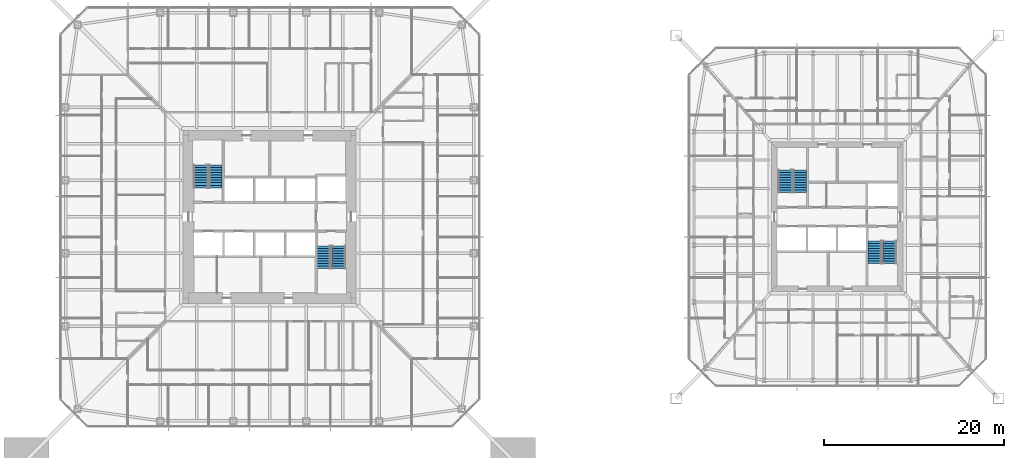
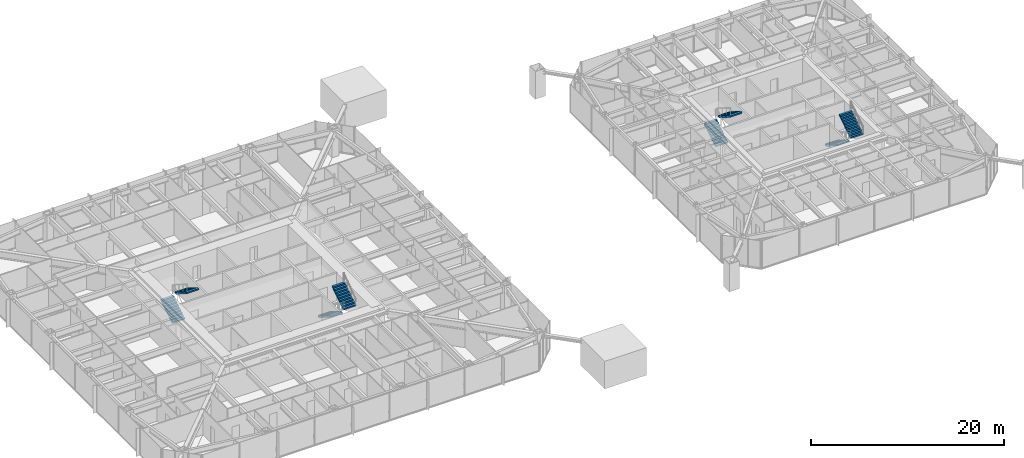
# One storey, part 22 of 26: 8 stair flights, 4 elements without a shape of their own.
"""IFC4 building model written with IfcOpenShell, lengths in metres."""

import ifcopenshell
import ifcopenshell.guid

model = None  # the IFC model being written
_history = None  # IfcOwnerHistory: only IFC2X3 demands one
_inside = {}  # id of a spatial element -> (the spatial element, [elements in it])
_under = {}  # id of a project, library or spatial element -> (it, [spatial elements below it])
_declared = {}  # id of a project -> (the project, [libraries it declares])
_typed = {}  # id of a type object -> (the type object, [elements of that type])
_made_of = {}  # id of a material, layer set ... -> (it, [elements and type objects made of it])


def new_model(schema):
    """Start an empty IFC model of exactly this schema.

    Asked for "IFC4X3", IfcOpenShell would pick the latest addendum, in which some entities
    have other attributes; the version numbers below select the first issue.
    IFC2X3 requires an IfcOwnerHistory on every rooted entity: one is made here for all.
    """
    global model, _history
    if schema == "IFC4X3":
        model = ifcopenshell.file(schema_version=(4, 3, 0, 0))
    else:
        model = ifcopenshell.file(schema=schema)
    _inside.clear()
    _under.clear()
    _declared.clear()
    _typed.clear()
    _made_of.clear()
    _history = None
    if model.schema == "IFC2X3":
        org = make("IfcOrganization", Name="unknown")
        user = make(
            "IfcPersonAndOrganization",
            ThePerson=make("IfcPerson", FamilyName="unknown"),
            TheOrganization=org,
        )
        app = make(
            "IfcApplication",
            ApplicationDeveloper=org,
            Version="unknown",
            ApplicationFullName="unknown",
            ApplicationIdentifier="unknown",
        )
        _history = make(
            "IfcOwnerHistory",
            OwningUser=user,
            OwningApplication=app,
            ChangeAction="ADDED",
            CreationDate=0,
        )
    return model


def make(cls, **values):
    """One entity of the class cls with the attributes given. An attribute that is None is left unset."""
    return model.create_entity(
        cls, **{name: value for name, value in values.items() if value is not None}
    )


def rooted(cls, **values):
    """An entity with a GlobalId (a new one), such as an element, a storey or a relation."""
    return make(cls, GlobalId=ifcopenshell.guid.new(), OwnerHistory=_history, **values)


def si_unit(unit_type, name, prefix=None):
    """IfcSIUnit, for example si_unit("LENGTHUNIT", "METRE", prefix="MILLI")."""
    return make("IfcSIUnit", UnitType=unit_type, Prefix=prefix, Name=name)


def assignment(units):
    """IfcUnitAssignment: the units of a project."""
    return None if units is None else make("IfcUnitAssignment", Units=units)


def point(xyz):
    """IfcCartesianPoint."""
    return None if xyz is None else make("IfcCartesianPoint", Coordinates=xyz)


def direction(xyz):
    """IfcDirection."""
    return None if xyz is None else make("IfcDirection", DirectionRatios=xyz)


def frame(location, z_axis=None, x_axis=None):
    """IfcAxis2Placement3D, a coordinate frame: its origin and axes. An axis left out is left unset."""
    return make(
        "IfcAxis2Placement3D",
        Location=point(location),
        Axis=direction(z_axis),
        RefDirection=direction(x_axis),
    )


def origin():
    """The frame at (0, 0, 0) with its axes left unset."""
    return frame((0.0, 0.0, 0.0))


def place(relative_to, where):
    """IfcLocalPlacement: puts the frame where relative to a parent placement (None: the world)."""
    return make(
        "IfcLocalPlacement", PlacementRelTo=relative_to, RelativePlacement=where
    )


def context(
    kind, dimensions, precision=None, world=None, true_north=None, identifier=None
):
    """IfcGeometricRepresentationContext, for example the 3D "Model" context."""
    return make(
        "IfcGeometricRepresentationContext",
        ContextIdentifier=identifier,
        ContextType=kind,
        CoordinateSpaceDimension=dimensions,
        Precision=precision,
        WorldCoordinateSystem=world,
        TrueNorth=true_north,
    )


def subcontext(parent, identifier, kind, view, scale=None):
    """IfcGeometricRepresentationSubContext, for example "Body" below "Model"."""
    return make(
        "IfcGeometricRepresentationSubContext",
        ContextIdentifier=identifier,
        ContextType=kind,
        ParentContext=parent,
        TargetScale=scale,
        TargetView=view,
    )


def project(units=None, contexts=None):
    """IfcProject with its units and contexts."""
    return rooted(
        "IfcProject",
        Name="project",
        RepresentationContexts=contexts,
        UnitsInContext=assignment(units),
    )


def spatial(cls, under=None, at=None, **own):
    """A site, building, storey or space (cls), placed at a placement, below another one or the project."""
    s = rooted(cls, ObjectPlacement=at, **own)
    if under is not None:
        _under.setdefault(under.id(), (under, []))[1].append(s)
    return s


def polyline(points):
    """IfcPolyline through the points."""
    return make("IfcPolyline", Points=[point(p) for p in points])


def outline(outer, holes=None, kind="AREA"):
    """IfcArbitraryClosedProfileDef: a profile drawn as a closed curve; with holes, ...WithVoids."""
    if holes is None:
        return make("IfcArbitraryClosedProfileDef", ProfileType=kind, OuterCurve=outer)
    return make(
        "IfcArbitraryProfileDefWithVoids",
        ProfileType=kind,
        OuterCurve=outer,
        InnerCurves=holes,
    )


def extrude(swept, where, along, depth):
    """IfcExtrudedAreaSolid: the profile swept, set in the frame where, extruded along a direction by depth."""
    return make(
        "IfcExtrudedAreaSolid",
        SweptArea=swept,
        Position=where,
        ExtrudedDirection=direction(along),
        Depth=depth,
    )


def shape(context_of_items, identifier, shape_type, items):
    """IfcShapeRepresentation: the items that make up one representation, for example the "Body"."""
    return make(
        "IfcShapeRepresentation",
        ContextOfItems=context_of_items,
        RepresentationIdentifier=identifier,
        RepresentationType=shape_type,
        Items=items,
    )


def material(Name=None, Category=None):
    """IfcMaterial."""
    return make("IfcMaterial", Name=Name, Category=Category)


def constituent(of_material, Name=None, Category=None, fraction=None):
    """IfcMaterialConstituent: one of the materials an element consists of."""
    return make(
        "IfcMaterialConstituent",
        Name=Name,
        Material=of_material,
        Fraction=fraction,
        Category=Category,
    )


def constituent_set(constituents=None, Name=None):
    """IfcMaterialConstituentSet."""
    return make(
        "IfcMaterialConstituentSet", Name=Name, MaterialConstituents=constituents
    )


def made_of(thing, what):
    """Note that an element or type object is made of a material, layer set ...; save() writes the relation."""
    if what is not None:
        _made_of.setdefault(what.id(), (what, []))[1].append(thing)
    return thing


def type_object(cls, material=None, **own):
    """A type object (cls), such as IfcWallType, which elements share."""
    return made_of(rooted(cls, **own), material)


def element(
    cls,
    number,
    at=None,
    inside=None,
    cuts=None,
    type_object=None,
    material=None,
    context=None,
    identifier="Body",
    shape_type=None,
    held_by="IfcProductDefinitionShape",
    body=None,
    shapes=None,
    **own,
):
    """One element of the class cls, such as IfcWall. Its Tag is "e" and its number.

    at: its placement. inside: the storey or other place that contains it. cuts: it is an
    opening in that element (IfcRelVoidsElement). A single representation is given by context,
    identifier, shape_type and body (its items); several are given by shapes. held_by: the class
    of the entity that holds the representations. save() writes the other relations.
    """
    e = rooted(cls, Tag="e%d" % number, ObjectPlacement=at, **own)
    if body is not None:
        shapes = [shape(context, identifier, shape_type, body)]
    if shapes is not None:
        e.Representation = make(held_by, Representations=shapes)
    if inside is not None:
        _inside.setdefault(inside.id(), (inside, []))[1].append(e)
    if cuts is not None:
        rooted(
            "IfcRelVoidsElement", RelatingBuildingElement=cuts, RelatedOpeningElement=e
        )
    if type_object is not None:
        _typed.setdefault(type_object.id(), (type_object, []))[1].append(e)
    return made_of(e, material)


def aggregate(whole, parts):
    """IfcRelAggregates: a whole, such as a stair, and the parts it consists of."""
    return rooted("IfcRelAggregates", RelatingObject=whole, RelatedObjects=parts)


def save(model, path):
    """Write the relations noted so far, then the file.

    IfcRelAggregates (storeys below a building ...), IfcRelContainedInSpatialStructure (elements
    in a storey), IfcRelDefinesByType, IfcRelAssociatesMaterial and IfcRelDeclares: one each for
    every whole, place, type object, material and project.
    """
    for whole, parts in _under.values():
        aggregate(whole, parts)
    for where, things in _inside.values():
        rooted(
            "IfcRelContainedInSpatialStructure",
            RelatedElements=things,
            RelatingStructure=where,
        )
    for kind, things in _typed.values():
        rooted("IfcRelDefinesByType", RelatedObjects=things, RelatingType=kind)
    for what, things in _made_of.values():
        rooted("IfcRelAssociatesMaterial", RelatedObjects=things, RelatingMaterial=what)
    for by, libraries in _declared.values():
        rooted("IfcRelDeclares", RelatingContext=by, RelatedDefinitions=libraries)
    model.write(path)


model = new_model("IFC4")

# Units and contexts
model_context = context("Model", 3, precision=1e-05, world=origin(), true_north=direction((0.0, 1.0)))
body_context = subcontext(model_context, "Body", "Model", "MODEL_VIEW")
ifc_project = project(units=[si_unit("LENGTHUNIT", "METRE"), si_unit("AREAUNIT", "SQUARE_METRE"), si_unit("VOLUMEUNIT", "CUBIC_METRE"), si_unit("PLANEANGLEUNIT", "RADIAN"), si_unit("MASSUNIT", "GRAM", prefix="KILO")], contexts=[model_context])

# Site, building, storey
site_placement = place(None, origin())
site = spatial("IfcSite", under=ifc_project, at=site_placement, CompositionType="ELEMENT")
building_placement = place(site_placement, origin())
building = spatial("IfcBuilding", under=site, at=building_placement, Name="Iwan Alto Co-Living Towers", CompositionType="ELEMENT")
storey_placement = place(building_placement, frame((0.0, 0.0, 32.5)))
storey = spatial("IfcBuildingStorey", under=building, at=storey_placement, Name="L08", CompositionType="ELEMENT", Elevation=32.5)

# Stair, stair flights
ifc_material_1 = material(Name="Steel ASTM A36", Category="steel")
ifc_constituent_1 = constituent(ifc_material_1, Name="Stringers", Category="LoadBearing")
ifc_material_2 = material(Name="Concrete f'c 30 MPa", Category="concrete")
ifc_constituent_2 = constituent(ifc_material_2, Name="Tread fill", Category="Finish")
ifc_constituent_set_1 = constituent_set(constituents=[ifc_constituent_1, ifc_constituent_2], Name="STAIR 3500 TWO-FLIGHT T1 CORE")
stair_type_1 = type_object("IfcStairType", Name="STAIR 3500 TWO-FLIGHT T1 CORE", PredefinedType="HALF_TURN_STAIR", material=ifc_constituent_set_1)
stair_1_placement = place(storey_placement, origin())
stair_1 = element("IfcStair", 1, at=stair_1_placement, inside=storey, type_object=stair_type_1, Name="Stair T1-S1 L08 to L09", PredefinedType="HALF_TURN_STAIR")
ifc_constituent_3 = constituent(ifc_material_1, Name="Stringers", Category="LoadBearing")
ifc_constituent_4 = constituent(ifc_material_2, Name="Tread fill", Category="Finish")
ifc_constituent_set_2 = constituent_set(constituents=[ifc_constituent_3, ifc_constituent_4], Name="STAIR FLIGHT 10 RISERS 280 GOING")
stair_flight_type = type_object("IfcStairFlightType", Name="STAIR FLIGHT 10 RISERS 280 GOING", PredefinedType="STRAIGHT", material=ifc_constituent_set_2)
stair_flight_1_placement = place(storey_placement, frame((-7.68994140625, 3.219970703125, 0.0), z_axis=(0.0, 0.0, 1.0), x_axis=(0.0, 1.0, 0.0)))
stair_flight_1 = element("IfcStairFlight", 2, at=stair_flight_1_placement, type_object=stair_flight_type, Name="T1-S1 flight 1", NumberOfRisers=10, NumberOfTreads=9, PredefinedType="STRAIGHT", RiserHeight=0.175, TreadLength=0.28, context=body_context, shape_type="SweptSolid", body=[
    extrude(outline(polyline([(0.0, 0.0), (0.0, 0.175048828125), (0.280029296875, 0.175048828125), (0.280029296875, 0.35009765625), (0.56005859375, 0.35009765625), (0.56005859375, 0.52490234375), (0.840087890625, 0.52490234375), (0.840087890625, 0.699951171875), (1.1201171875, 0.699951171875), (1.1201171875, 0.875), (1.39990234375, 0.875), (1.39990234375, 1.050048828125), (1.679931640625, 1.050048828125), (1.679931640625, 1.22509765625), (1.9599609375, 1.22509765625), (1.9599609375, 1.39990234375), (2.239990234375, 1.39990234375), (2.239990234375, 1.574951171875), (2.52001953125, 1.574951171875), (2.52001953125, 1.75), (2.52001953125, 1.398193359375), (0.28271484375, 0.0), (0.0, 0.0)])), frame((0.0, 0.739990234375, 0.0), z_axis=(0.0, -1.0, 0.0), x_axis=(1.0, 0.0, 0.0)), (0.0, 0.0, 1.0), 1.47998046875),
])
stair_flight_2_placement = place(storey_placement, frame((-6.010009765625, 5.739990234375, 1.75), z_axis=(0.0, 0.0, 1.0), x_axis=(0.0, -1.0, 0.0)))
stair_flight_2 = element("IfcStairFlight", 3, at=stair_flight_2_placement, type_object=stair_flight_type, Name="T1-S1 flight 2", NumberOfRisers=10, NumberOfTreads=9, PredefinedType="STRAIGHT", RiserHeight=0.175, TreadLength=0.28, context=body_context, shape_type="SweptSolid", body=[
    extrude(outline(polyline([(0.0, 0.0), (0.0, 0.175048828125), (0.280029296875, 0.175048828125), (0.280029296875, 0.35009765625), (0.56005859375, 0.35009765625), (0.56005859375, 0.52490234375), (0.840087890625, 0.52490234375), (0.840087890625, 0.699951171875), (1.1201171875, 0.699951171875), (1.1201171875, 0.875), (1.39990234375, 0.875), (1.39990234375, 1.050048828125), (1.679931640625, 1.050048828125), (1.679931640625, 1.22509765625), (1.9599609375, 1.22509765625), (1.9599609375, 1.39990234375), (2.239990234375, 1.39990234375), (2.239990234375, 1.574951171875), (2.52001953125, 1.574951171875), (2.52001953125, 1.75), (2.52001953125, 1.398193359375), (0.28271484375, 0.0), (0.0, 0.0)])), frame((0.0, 0.739990234375, 0.0), z_axis=(0.0, -1.0, 0.0), x_axis=(1.0, 0.0, 0.0)), (0.0, 0.0, 1.0), 1.47998046875),
])
aggregate(stair_1, [stair_flight_1, stair_flight_2])

stair_2_placement = place(storey_placement, origin())
stair_2 = element("IfcStair", 4, at=stair_2_placement, inside=storey, type_object=stair_type_1, Name="Stair T1-S2 L08 to L09", PredefinedType="HALF_TURN_STAIR")
stair_flight_3_placement = place(storey_placement, frame((6.010009765625, -3.219970703125, 0.0), z_axis=(0.0, 0.0, 1.0), x_axis=(0.0, -1.0, 0.0)))
stair_flight_3 = element("IfcStairFlight", 5, at=stair_flight_3_placement, type_object=stair_flight_type, Name="T1-S2 flight 1", NumberOfRisers=10, NumberOfTreads=9, PredefinedType="STRAIGHT", RiserHeight=0.175, TreadLength=0.28, context=body_context, shape_type="SweptSolid", body=[
    extrude(outline(polyline([(0.0, 0.0), (0.0, 0.175048828125), (0.280029296875, 0.175048828125), (0.280029296875, 0.35009765625), (0.56005859375, 0.35009765625), (0.56005859375, 0.52490234375), (0.840087890625, 0.52490234375), (0.840087890625, 0.699951171875), (1.1201171875, 0.699951171875), (1.1201171875, 0.875), (1.39990234375, 0.875), (1.39990234375, 1.050048828125), (1.679931640625, 1.050048828125), (1.679931640625, 1.22509765625), (1.9599609375, 1.22509765625), (1.9599609375, 1.39990234375), (2.239990234375, 1.39990234375), (2.239990234375, 1.574951171875), (2.52001953125, 1.574951171875), (2.52001953125, 1.75), (2.52001953125, 1.398193359375), (0.28271484375, 0.0), (0.0, 0.0)])), frame((0.0, 0.739990234375, 0.0), z_axis=(0.0, -1.0, 0.0), x_axis=(1.0, 0.0, 0.0)), (0.0, 0.0, 1.0), 1.47998046875),
])
stair_flight_4_placement = place(storey_placement, frame((7.68994140625, -5.739990234375, 1.75), z_axis=(0.0, 0.0, 1.0), x_axis=(0.0, 1.0, 0.0)))
stair_flight_4 = element("IfcStairFlight", 6, at=stair_flight_4_placement, type_object=stair_flight_type, Name="T1-S2 flight 2", NumberOfRisers=10, NumberOfTreads=9, PredefinedType="STRAIGHT", RiserHeight=0.175, TreadLength=0.28, context=body_context, shape_type="SweptSolid", body=[
    extrude(outline(polyline([(0.0, 0.0), (0.0, 0.175048828125), (0.280029296875, 0.175048828125), (0.280029296875, 0.35009765625), (0.56005859375, 0.35009765625), (0.56005859375, 0.52490234375), (0.840087890625, 0.52490234375), (0.840087890625, 0.699951171875), (1.1201171875, 0.699951171875), (1.1201171875, 0.875), (1.39990234375, 0.875), (1.39990234375, 1.050048828125), (1.679931640625, 1.050048828125), (1.679931640625, 1.22509765625), (1.9599609375, 1.22509765625), (1.9599609375, 1.39990234375), (2.239990234375, 1.39990234375), (2.239990234375, 1.574951171875), (2.52001953125, 1.574951171875), (2.52001953125, 1.75), (2.52001953125, 1.398193359375), (0.28271484375, 0.0), (0.0, 0.0)])), frame((0.0, 0.739990234375, 0.0), z_axis=(0.0, -1.0, 0.0), x_axis=(1.0, 0.0, 0.0)), (0.0, 0.0, 1.0), 1.47998046875),
])
aggregate(stair_2, [stair_flight_3, stair_flight_4])

ifc_constituent_5 = constituent(ifc_material_1, Name="Stringers", Category="LoadBearing")
ifc_constituent_6 = constituent(ifc_material_2, Name="Tread fill", Category="Finish")
ifc_constituent_set_3 = constituent_set(constituents=[ifc_constituent_5, ifc_constituent_6], Name="STAIR 3500 TWO-FLIGHT T2 CORE")
stair_type_2 = type_object("IfcStairType", Name="STAIR 3500 TWO-FLIGHT T2 CORE", PredefinedType="HALF_TURN_STAIR", material=ifc_constituent_set_3)
stair_3_placement = place(storey_placement, origin())
stair_3 = element("IfcStair", 7, at=stair_3_placement, inside=storey, type_object=stair_type_2, Name="Stair T2-S1 L08 to L09", PredefinedType="HALF_TURN_STAIR")
stair_flight_5_placement = place(storey_placement, frame((57.159912109375, 2.669921875, 0.0), z_axis=(0.0, 0.0, 1.0), x_axis=(0.0, 1.0, 0.0)))
stair_flight_5 = element("IfcStairFlight", 8, at=stair_flight_5_placement, type_object=stair_flight_type, Name="T2-S1 flight 1", NumberOfRisers=10, NumberOfTreads=9, PredefinedType="STRAIGHT", RiserHeight=0.175, TreadLength=0.28, context=body_context, shape_type="SweptSolid", body=[
    extrude(outline(polyline([(0.0, 0.0), (0.0, 0.175048828125), (0.280029296875, 0.175048828125), (0.280029296875, 0.35009765625), (0.56005859375, 0.35009765625), (0.56005859375, 0.52490234375), (0.840087890625, 0.52490234375), (0.840087890625, 0.699951171875), (1.1201171875, 0.699951171875), (1.1201171875, 0.875), (1.39990234375, 0.875), (1.39990234375, 1.050048828125), (1.679931640625, 1.050048828125), (1.679931640625, 1.22509765625), (1.9599609375, 1.22509765625), (1.9599609375, 1.39990234375), (2.239990234375, 1.39990234375), (2.239990234375, 1.574951171875), (2.52001953125, 1.574951171875), (2.52001953125, 1.75), (2.52001953125, 1.398193359375), (0.28271484375, 0.0), (0.0, 0.0)])), frame((0.0, 0.739990234375, 0.0), z_axis=(0.0, -1.0, 0.0), x_axis=(1.0, 0.0, 0.0)), (0.0, 0.0, 1.0), 1.47998046875),
])
stair_flight_6_placement = place(storey_placement, frame((58.840087890625, 5.18994140625, 1.75), z_axis=(0.0, 0.0, 1.0), x_axis=(0.0, -1.0, 0.0)))
stair_flight_6 = element("IfcStairFlight", 9, at=stair_flight_6_placement, type_object=stair_flight_type, Name="T2-S1 flight 2", NumberOfRisers=10, NumberOfTreads=9, PredefinedType="STRAIGHT", RiserHeight=0.175, TreadLength=0.28, context=body_context, shape_type="SweptSolid", body=[
    extrude(outline(polyline([(0.0, 0.0), (0.0, 0.175048828125), (0.280029296875, 0.175048828125), (0.280029296875, 0.35009765625), (0.56005859375, 0.35009765625), (0.56005859375, 0.52490234375), (0.840087890625, 0.52490234375), (0.840087890625, 0.699951171875), (1.1201171875, 0.699951171875), (1.1201171875, 0.875), (1.39990234375, 0.875), (1.39990234375, 1.050048828125), (1.679931640625, 1.050048828125), (1.679931640625, 1.22509765625), (1.9599609375, 1.22509765625), (1.9599609375, 1.39990234375), (2.239990234375, 1.39990234375), (2.239990234375, 1.574951171875), (2.52001953125, 1.574951171875), (2.52001953125, 1.75), (2.52001953125, 1.398193359375), (0.28271484375, 0.0), (0.0, 0.0)])), frame((0.0, 0.739990234375, 0.0), z_axis=(0.0, -1.0, 0.0), x_axis=(1.0, 0.0, 0.0)), (0.0, 0.0, 1.0), 1.47998046875),
])
aggregate(stair_3, [stair_flight_5, stair_flight_6])

stair_4_placement = place(storey_placement, origin())
stair_4 = element("IfcStair", 10, at=stair_4_placement, inside=storey, type_object=stair_type_2, Name="Stair T2-S2 L08 to L09", PredefinedType="HALF_TURN_STAIR")
stair_flight_7_placement = place(storey_placement, frame((67.159912109375, -2.669921875, 0.0), z_axis=(0.0, 0.0, 1.0), x_axis=(0.0, -1.0, 0.0)))
stair_flight_7 = element("IfcStairFlight", 11, at=stair_flight_7_placement, type_object=stair_flight_type, Name="T2-S2 flight 1", NumberOfRisers=10, NumberOfTreads=9, PredefinedType="STRAIGHT", RiserHeight=0.175, TreadLength=0.28, context=body_context, shape_type="SweptSolid", body=[
    extrude(outline(polyline([(0.0, 0.0), (0.0, 0.175048828125), (0.280029296875, 0.175048828125), (0.280029296875, 0.35009765625), (0.56005859375, 0.35009765625), (0.56005859375, 0.52490234375), (0.840087890625, 0.52490234375), (0.840087890625, 0.699951171875), (1.1201171875, 0.699951171875), (1.1201171875, 0.875), (1.39990234375, 0.875), (1.39990234375, 1.050048828125), (1.679931640625, 1.050048828125), (1.679931640625, 1.22509765625), (1.9599609375, 1.22509765625), (1.9599609375, 1.39990234375), (2.239990234375, 1.39990234375), (2.239990234375, 1.574951171875), (2.52001953125, 1.574951171875), (2.52001953125, 1.75), (2.52001953125, 1.398193359375), (0.28271484375, 0.0), (0.0, 0.0)])), frame((0.0, 0.739990234375, 0.0), z_axis=(0.0, -1.0, 0.0), x_axis=(1.0, 0.0, 0.0)), (0.0, 0.0, 1.0), 1.47998046875),
])
stair_flight_8_placement = place(storey_placement, frame((68.840087890625, -5.18994140625, 1.75), z_axis=(0.0, 0.0, 1.0), x_axis=(0.0, 1.0, 0.0)))
stair_flight_8 = element("IfcStairFlight", 12, at=stair_flight_8_placement, type_object=stair_flight_type, Name="T2-S2 flight 2", NumberOfRisers=10, NumberOfTreads=9, PredefinedType="STRAIGHT", RiserHeight=0.175, TreadLength=0.28, context=body_context, shape_type="SweptSolid", body=[
    extrude(outline(polyline([(0.0, 0.0), (0.0, 0.175048828125), (0.280029296875, 0.175048828125), (0.280029296875, 0.35009765625), (0.56005859375, 0.35009765625), (0.56005859375, 0.52490234375), (0.840087890625, 0.52490234375), (0.840087890625, 0.699951171875), (1.1201171875, 0.699951171875), (1.1201171875, 0.875), (1.39990234375, 0.875), (1.39990234375, 1.050048828125), (1.679931640625, 1.050048828125), (1.679931640625, 1.22509765625), (1.9599609375, 1.22509765625), (1.9599609375, 1.39990234375), (2.239990234375, 1.39990234375), (2.239990234375, 1.574951171875), (2.52001953125, 1.574951171875), (2.52001953125, 1.75), (2.52001953125, 1.398193359375), (0.28271484375, 0.0), (0.0, 0.0)])), frame((0.0, 0.739990234375, 0.0), z_axis=(0.0, -1.0, 0.0), x_axis=(1.0, 0.0, 0.0)), (0.0, 0.0, 1.0), 1.47998046875),
])
aggregate(stair_4, [stair_flight_7, stair_flight_8])

save(model, "model.ifc")
